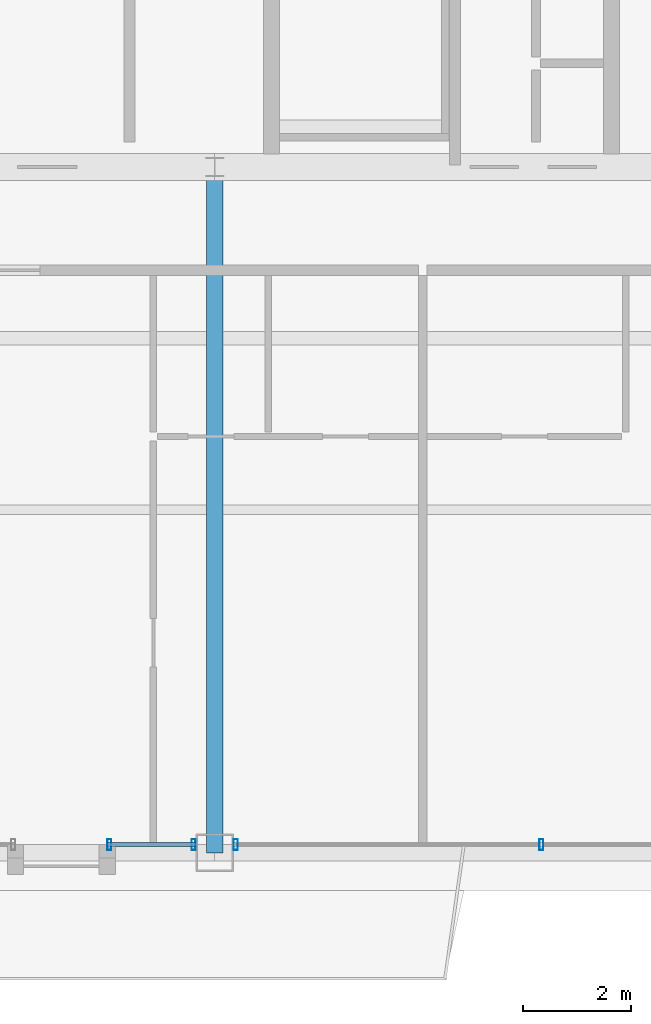
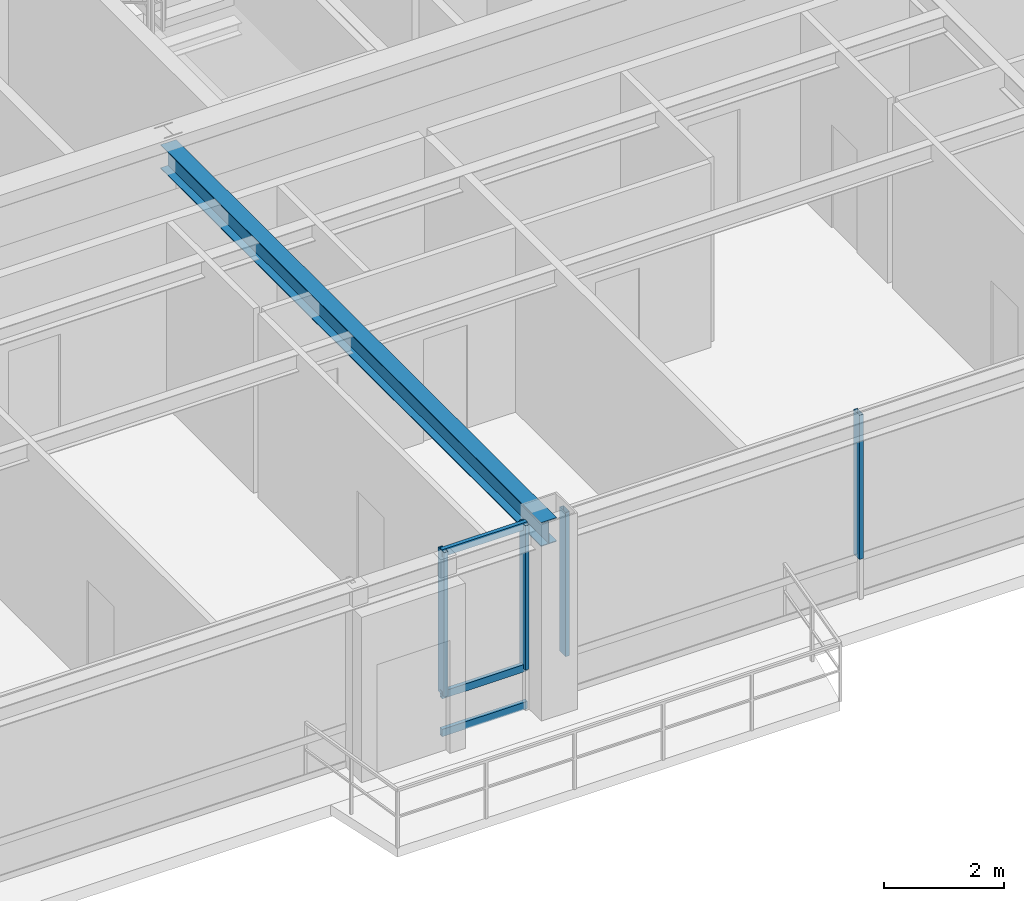
# One storey, part 8 of 35: 7 members, 1 beam, 2 elements without a shape of their own.
"""IFC4 building model written with IfcOpenShell, lengths in metres."""

import ifcopenshell
import ifcopenshell.guid

model = None  # the IFC model being written
_history = None  # IfcOwnerHistory: only IFC2X3 demands one
_inside = {}  # id of a spatial element -> (the spatial element, [elements in it])
_under = {}  # id of a project, library or spatial element -> (it, [spatial elements below it])
_declared = {}  # id of a project -> (the project, [libraries it declares])
_typed = {}  # id of a type object -> (the type object, [elements of that type])
_made_of = {}  # id of a material, layer set ... -> (it, [elements and type objects made of it])


def new_model(schema):
    """Start an empty IFC model of exactly this schema.

    Asked for "IFC4X3", IfcOpenShell would pick the latest addendum, in which some entities
    have other attributes; the version numbers below select the first issue.
    IFC2X3 requires an IfcOwnerHistory on every rooted entity: one is made here for all.
    """
    global model, _history
    if schema == "IFC4X3":
        model = ifcopenshell.file(schema_version=(4, 3, 0, 0))
    else:
        model = ifcopenshell.file(schema=schema)
    _inside.clear()
    _under.clear()
    _declared.clear()
    _typed.clear()
    _made_of.clear()
    _history = None
    if model.schema == "IFC2X3":
        org = make("IfcOrganization", Name="unknown")
        user = make(
            "IfcPersonAndOrganization",
            ThePerson=make("IfcPerson", FamilyName="unknown"),
            TheOrganization=org,
        )
        app = make(
            "IfcApplication",
            ApplicationDeveloper=org,
            Version="unknown",
            ApplicationFullName="unknown",
            ApplicationIdentifier="unknown",
        )
        _history = make(
            "IfcOwnerHistory",
            OwningUser=user,
            OwningApplication=app,
            ChangeAction="ADDED",
            CreationDate=0,
        )
    return model


def make(cls, **values):
    """One entity of the class cls with the attributes given. An attribute that is None is left unset."""
    return model.create_entity(
        cls, **{name: value for name, value in values.items() if value is not None}
    )


def rooted(cls, **values):
    """An entity with a GlobalId (a new one), such as an element, a storey or a relation."""
    return make(cls, GlobalId=ifcopenshell.guid.new(), OwnerHistory=_history, **values)


def si_unit(unit_type, name, prefix=None):
    """IfcSIUnit, for example si_unit("LENGTHUNIT", "METRE", prefix="MILLI")."""
    return make("IfcSIUnit", UnitType=unit_type, Prefix=prefix, Name=name)


def assignment(units):
    """IfcUnitAssignment: the units of a project."""
    return None if units is None else make("IfcUnitAssignment", Units=units)


def point(xyz):
    """IfcCartesianPoint."""
    return None if xyz is None else make("IfcCartesianPoint", Coordinates=xyz)


def direction(xyz):
    """IfcDirection."""
    return None if xyz is None else make("IfcDirection", DirectionRatios=xyz)


def frame(location, z_axis=None, x_axis=None):
    """IfcAxis2Placement3D, a coordinate frame: its origin and axes. An axis left out is left unset."""
    return make(
        "IfcAxis2Placement3D",
        Location=point(location),
        Axis=direction(z_axis),
        RefDirection=direction(x_axis),
    )


def frame_2d(location, x_axis=None):
    """IfcAxis2Placement2D, a coordinate frame in the plane: its origin and x axis."""
    return make(
        "IfcAxis2Placement2D", Location=point(location), RefDirection=direction(x_axis)
    )


def origin():
    """The frame at (0, 0, 0) with its axes left unset."""
    return frame((0.0, 0.0, 0.0))


def origin_2d():
    """The frame at (0, 0) in the plane with its x axis left unset."""
    return frame_2d((0.0, 0.0))


def place(relative_to, where):
    """IfcLocalPlacement: puts the frame where relative to a parent placement (None: the world)."""
    return make(
        "IfcLocalPlacement", PlacementRelTo=relative_to, RelativePlacement=where
    )


def context(
    kind, dimensions, precision=None, world=None, true_north=None, identifier=None
):
    """IfcGeometricRepresentationContext, for example the 3D "Model" context."""
    return make(
        "IfcGeometricRepresentationContext",
        ContextIdentifier=identifier,
        ContextType=kind,
        CoordinateSpaceDimension=dimensions,
        Precision=precision,
        WorldCoordinateSystem=world,
        TrueNorth=true_north,
    )


def subcontext(parent, identifier, kind, view, scale=None):
    """IfcGeometricRepresentationSubContext, for example "Body" below "Model"."""
    return make(
        "IfcGeometricRepresentationSubContext",
        ContextIdentifier=identifier,
        ContextType=kind,
        ParentContext=parent,
        TargetScale=scale,
        TargetView=view,
    )


def project(units=None, contexts=None):
    """IfcProject with its units and contexts."""
    return rooted(
        "IfcProject",
        Name="project",
        RepresentationContexts=contexts,
        UnitsInContext=assignment(units),
    )


def spatial(cls, under=None, at=None, **own):
    """A site, building, storey or space (cls), placed at a placement, below another one or the project."""
    s = rooted(cls, ObjectPlacement=at, **own)
    if under is not None:
        _under.setdefault(under.id(), (under, []))[1].append(s)
    return s


def profile(cls, at=None, kind="AREA", **sizes):
    """A parametric profile (cls). Its sizes go by their IFC names, for example OverallWidth=200.0."""
    return make(cls, ProfileType=kind, Position=at, **sizes)


def hollow_rectangle(**sizes):
    """IfcRectangleHollowProfileDef."""
    return profile("IfcRectangleHollowProfileDef", **sizes)


def i_section(**sizes):
    """IfcIShapeProfileDef."""
    return profile("IfcIShapeProfileDef", **sizes)


def extrude(swept, where, along, depth):
    """IfcExtrudedAreaSolid: the profile swept, set in the frame where, extruded along a direction by depth."""
    return make(
        "IfcExtrudedAreaSolid",
        SweptArea=swept,
        Position=where,
        ExtrudedDirection=direction(along),
        Depth=depth,
    )


def shape(context_of_items, identifier, shape_type, items):
    """IfcShapeRepresentation: the items that make up one representation, for example the "Body"."""
    return make(
        "IfcShapeRepresentation",
        ContextOfItems=context_of_items,
        RepresentationIdentifier=identifier,
        RepresentationType=shape_type,
        Items=items,
    )


def source(mapping_origin, context_of_items, identifier, shape_type, items):
    """IfcRepresentationMap: a shape defined once, which mapped items show again and again."""
    return make(
        "IfcRepresentationMap",
        MappingOrigin=mapping_origin,
        MappedRepresentation=shape(context_of_items, identifier, shape_type, items),
    )


def transform(
    local_origin,
    x_axis=None,
    y_axis=None,
    z_axis=None,
    scale=None,
    scale2=None,
    scale3=None,
    uniform=True,
):
    """IfcCartesianTransformationOperator3D, or its non-uniform kind. x_axis, y_axis, z_axis: its Axis1, 2, 3."""
    if uniform:
        return make(
            "IfcCartesianTransformationOperator3D",
            Axis1=direction(x_axis),
            Axis2=direction(y_axis),
            LocalOrigin=point(local_origin),
            Scale=scale,
            Axis3=direction(z_axis),
        )
    return make(
        "IfcCartesianTransformationOperator3DnonUniform",
        Axis1=direction(x_axis),
        Axis2=direction(y_axis),
        LocalOrigin=point(local_origin),
        Scale=scale,
        Axis3=direction(z_axis),
        Scale2=scale2,
        Scale3=scale3,
    )


def mapped(mapping_source, mapping_target):
    """IfcMappedItem: shows the shape of a source again, moved by a transform."""
    return make(
        "IfcMappedItem", MappingSource=mapping_source, MappingTarget=mapping_target
    )


def material(Name=None, Category=None):
    """IfcMaterial."""
    return make("IfcMaterial", Name=Name, Category=Category)


def layer(
    of_material, thickness, ventilated=None, Name=None, Category=None, Priority=None
):
    """IfcMaterialLayer: one layer of a wall or slab, of a material (None: an air gap)."""
    return make(
        "IfcMaterialLayer",
        Material=of_material,
        LayerThickness=thickness,
        IsVentilated=ventilated,
        Name=Name,
        Category=Category,
        Priority=Priority,
    )


def layer_set(layers, Name=None):
    """IfcMaterialLayerSet."""
    return make("IfcMaterialLayerSet", MaterialLayers=layers, LayerSetName=Name)


def material_profile(
    of_material, cross_section, Name=None, Category=None, Priority=None
):
    """IfcMaterialProfile: a cross section and its material."""
    return make(
        "IfcMaterialProfile",
        Name=Name,
        Material=of_material,
        Profile=cross_section,
        Priority=Priority,
        Category=Category,
    )


def profile_set(profiles, Name=None, composite=None):
    """IfcMaterialProfileSet."""
    return make(
        "IfcMaterialProfileSet",
        Name=Name,
        MaterialProfiles=profiles,
        CompositeProfile=composite,
    )


def made_of(thing, what):
    """Note that an element or type object is made of a material, layer set ...; save() writes the relation."""
    if what is not None:
        _made_of.setdefault(what.id(), (what, []))[1].append(thing)
    return thing


def type_object(cls, material=None, **own):
    """A type object (cls), such as IfcWallType, which elements share."""
    return made_of(rooted(cls, **own), material)


def element(
    cls,
    number,
    at=None,
    inside=None,
    cuts=None,
    type_object=None,
    material=None,
    context=None,
    identifier="Body",
    shape_type=None,
    held_by="IfcProductDefinitionShape",
    body=None,
    shapes=None,
    **own,
):
    """One element of the class cls, such as IfcWall. Its Tag is "e" and its number.

    at: its placement. inside: the storey or other place that contains it. cuts: it is an
    opening in that element (IfcRelVoidsElement). A single representation is given by context,
    identifier, shape_type and body (its items); several are given by shapes. held_by: the class
    of the entity that holds the representations. save() writes the other relations.
    """
    e = rooted(cls, Tag="e%d" % number, ObjectPlacement=at, **own)
    if body is not None:
        shapes = [shape(context, identifier, shape_type, body)]
    if shapes is not None:
        e.Representation = make(held_by, Representations=shapes)
    if inside is not None:
        _inside.setdefault(inside.id(), (inside, []))[1].append(e)
    if cuts is not None:
        rooted(
            "IfcRelVoidsElement", RelatingBuildingElement=cuts, RelatedOpeningElement=e
        )
    if type_object is not None:
        _typed.setdefault(type_object.id(), (type_object, []))[1].append(e)
    return made_of(e, material)


def aggregate(whole, parts):
    """IfcRelAggregates: a whole, such as a stair, and the parts it consists of."""
    return rooted("IfcRelAggregates", RelatingObject=whole, RelatedObjects=parts)


def save(model, path):
    """Write the relations noted so far, then the file.

    IfcRelAggregates (storeys below a building ...), IfcRelContainedInSpatialStructure (elements
    in a storey), IfcRelDefinesByType, IfcRelAssociatesMaterial and IfcRelDeclares: one each for
    every whole, place, type object, material and project.
    """
    for whole, parts in _under.values():
        aggregate(whole, parts)
    for where, things in _inside.values():
        rooted(
            "IfcRelContainedInSpatialStructure",
            RelatedElements=things,
            RelatingStructure=where,
        )
    for kind, things in _typed.values():
        rooted("IfcRelDefinesByType", RelatedObjects=things, RelatingType=kind)
    for what, things in _made_of.values():
        rooted("IfcRelAssociatesMaterial", RelatedObjects=things, RelatingMaterial=what)
    for by, libraries in _declared.values():
        rooted("IfcRelDeclares", RelatingContext=by, RelatedDefinitions=libraries)
    model.write(path)


model = new_model("IFC4")

# Units and contexts
model_context = context("Model", 3, precision=1e-05, world=origin(), true_north=direction((0.0, 1.0)))
body_context = subcontext(model_context, "Body", "Model", "MODEL_VIEW")
ifc_project = project(units=[si_unit("LENGTHUNIT", "METRE"), si_unit("AREAUNIT", "SQUARE_METRE"), si_unit("VOLUMEUNIT", "CUBIC_METRE"), si_unit("PLANEANGLEUNIT", "RADIAN"), si_unit("MASSUNIT", "GRAM", prefix="KILO"), si_unit("THERMODYNAMICTEMPERATUREUNIT", "KELVIN"), si_unit("POWERUNIT", "WATT")], contexts=[model_context])

# Site, building, storey
site_placement = place(None, origin())
site = spatial("IfcSite", under=ifc_project, at=site_placement, CompositionType="ELEMENT")
building_placement = place(site_placement, origin())
building = spatial("IfcBuilding", under=site, at=building_placement, Name="Yuzanri Waterfront Tower", CompositionType="ELEMENT")
storey_placement = place(building_placement, frame((0.0, 0.0, 343.199951171875)))
storey = spatial("IfcBuildingStorey", under=building, at=storey_placement, Name="L92", CompositionType="ELEMENT", Elevation=343.199951171875)

# Beam
ifc_material_1 = material(Name="Steel Q355B", Category="steel")
ifc_material_profile_1 = material_profile(ifc_material_1, i_section(OverallWidth=0.300048828125, OverallDepth=0.488037109375, WebThickness=0.010986328125, FlangeThickness=0.01806640625, at=origin_2d()), Name="HM 488x300x11x18")
ifc_profile_set_1 = profile_set([ifc_material_profile_1], Name="Steel Q355B")
beam_type = type_object("IfcBeamType", Name="Primary Floor Girder Q355B HM 488x300", PredefinedType="BEAM", material=ifc_profile_set_1)
shared_shape_1 = source(origin(), body_context, "Body", "SweptSolid", [
    extrude(i_section(OverallWidth=0.300048828125, OverallDepth=0.488037109375, WebThickness=0.010986328125, FlangeThickness=0.01806640625, at=origin_2d()), origin(), (0.0, 0.0, 1.0), 12.699951171875),
])
beam_placement = place(storey_placement, frame((37.0, 19.39990234375, 3.51611328125), z_axis=(0.0, -1.0, 0.0), x_axis=(1.0, 0.0, 0.0)))
element("IfcBeam", 1, at=beam_placement, inside=storey, type_object=beam_type, Name="L92 South Grid Girder", PredefinedType="BEAM", context=body_context, shape_type="MappedRepresentation", body=[
    mapped(shared_shape_1, transform((0.0, 0.0, 0.0), scale=1.0)),
])

# Curtain wall, members
ifc_material_2 = material(Name="Anodized Architectural Bronze", Category="metal")
ifc_layer = layer(ifc_material_2, 0.159912109375)
ifc_layer_set = layer_set([ifc_layer], Name="Anodized Architectural Bronze")
curtain_wall_type = type_object("IfcCurtainWallType", Name="Anodized Bronze High-Rise Penthouse High-Wind Unitized Curtain Wall 6900", PredefinedType="NOTDEFINED", material=ifc_layer_set)
curtain_wall_1_placement = place(storey_placement, origin())
curtain_wall_1 = element("IfcCurtainWall", 2, at=curtain_wall_1_placement, inside=storey, type_object=curtain_wall_type, Name="L92 Curtain Wall CW-L92-SL2", PredefinedType="NOTDEFINED")
ifc_material_3 = material(Name="Anodized Architectural Bronze", Category="metal")
ifc_material_profile_2 = material_profile(ifc_material_3, hollow_rectangle(XDim=0.074951171875, YDim=0.199951171875, WallThickness=0.00390625, at=origin_2d()), Name="CWM 75x200")
ifc_profile_set_2 = profile_set([ifc_material_profile_2], Name="Anodized Architectural Bronze")
member_type_1 = type_object("IfcMemberType", Name="Anodized Bronze Primary Curtain-Wall Mullion 75x200", PredefinedType="MULLION", material=ifc_profile_set_2)
shared_shape_2 = source(origin(), body_context, "Body", "SweptSolid", [
    extrude(hollow_rectangle(XDim=0.074951171875, YDim=0.199951171875, WallThickness=0.00390625, at=origin_2d()), origin(), (0.0, 0.0, 1.0), 2.93798828125),
])
member_1_placement = place(storey_placement, frame((35.049072265625, 6.85009765625, 0.822021484375), z_axis=(0.0, 0.0, 1.0), x_axis=(1.0, 0.0, 0.0)))
member_1 = element("IfcMember", 3, at=member_1_placement, type_object=member_type_1, Name="CW-L92-SL2 Upper Mullion 00", PredefinedType="MULLION", context=body_context, shape_type="MappedRepresentation", body=[
    mapped(shared_shape_2, transform((0.0, 0.0, 0.0), scale=1.0)),
])
member_2_placement = place(storey_placement, frame((36.610107421875, 6.85009765625, 0.822021484375), z_axis=(0.0, 0.0, 1.0), x_axis=(1.0, 0.0, 0.0)))
member_2 = element("IfcMember", 4, at=member_2_placement, type_object=member_type_1, Name="CW-L92-SL2 Upper Mullion 01", PredefinedType="MULLION", context=body_context, shape_type="MappedRepresentation", body=[
    mapped(shared_shape_2, transform((0.0, 0.0, 0.0), scale=1.0)),
])

curtain_wall_2_placement = place(storey_placement, origin())
curtain_wall_2 = element("IfcCurtainWall", 5, at=curtain_wall_2_placement, inside=storey, type_object=curtain_wall_type, Name="L92 Curtain Wall CW-L92-SR", PredefinedType="NOTDEFINED")
member_3_placement = place(storey_placement, frame((37.389892578125, 6.85009765625, 0.822021484375), z_axis=(0.0, 0.0, 1.0), x_axis=(1.0, 0.0, 0.0)))
member_3 = element("IfcMember", 6, at=member_3_placement, type_object=member_type_1, Name="CW-L92-SR Upper Mullion 00", PredefinedType="MULLION", context=body_context, shape_type="MappedRepresentation", body=[
    mapped(shared_shape_2, transform((0.0, 0.0, 0.0), scale=1.0)),
])
member_4_placement = place(storey_placement, frame((43.050048828125, 6.85009765625, 0.822021484375), z_axis=(0.0, 0.0, 1.0), x_axis=(1.0, 0.0, 0.0)))
member_4 = element("IfcMember", 7, at=member_4_placement, type_object=member_type_1, Name="CW-L92-SR Upper Mullion 01", PredefinedType="MULLION", context=body_context, shape_type="MappedRepresentation", body=[
    mapped(shared_shape_2, transform((0.0, 0.0, 0.0), scale=1.0)),
])
aggregate(curtain_wall_2, [member_3, member_4])

# Member
ifc_material_4 = material(Name="Anodized Architectural Bronze", Category="metal")
ifc_material_profile_3 = material_profile(ifc_material_4, hollow_rectangle(XDim=0.074951171875, YDim=0.14990234375, WallThickness=0.00390625, at=origin_2d()), Name="CWT 75x150")
ifc_profile_set_3 = profile_set([ifc_material_profile_3], Name="Anodized Architectural Bronze")
member_type_2 = type_object("IfcMemberType", Name="Anodized Bronze Primary Curtain-Wall Transom 75x150", PredefinedType="USERDEFINED", material=ifc_profile_set_3)
shared_shape_3 = source(origin(), body_context, "Body", "SweptSolid", [
    extrude(hollow_rectangle(XDim=0.074951171875, YDim=0.14990234375, WallThickness=0.00390625, at=origin_2d()), origin(), (0.0, 0.0, 1.0), 1.640869140625),
])
member_5_placement = place(storey_placement, frame((35.009033203125, 6.85009765625, 0.050048828125), z_axis=(1.0, 0.0, 0.0), x_axis=(0.0, 1.0, 0.0)))
member_5 = element("IfcMember", 8, at=member_5_placement, type_object=member_type_2, Name="CW-L92-SL2 Transom 1", ObjectType="TRANSOM", PredefinedType="USERDEFINED", context=body_context, shape_type="MappedRepresentation", body=[
    mapped(shared_shape_3, transform((0.0, 0.0, 0.0), scale=1.0)),
])

member_6_placement = place(storey_placement, frame((35.009033203125, 6.85009765625, 0.820068359375), z_axis=(1.0, 0.0, 0.0), x_axis=(0.0, 1.0, 0.0)))
member_6 = element("IfcMember", 9, at=member_6_placement, type_object=member_type_2, Name="CW-L92-SL2 Transom 2", ObjectType="TRANSOM", PredefinedType="USERDEFINED", context=body_context, shape_type="MappedRepresentation", body=[
    mapped(shared_shape_3, transform((0.0, 0.0, 0.0), scale=1.0)),
])

member_7_placement = place(storey_placement, frame((35.009033203125, 6.85009765625, 3.7099609375), z_axis=(1.0, 0.0, 0.0), x_axis=(0.0, 1.0, 0.0)))
member_7 = element("IfcMember", 10, at=member_7_placement, type_object=member_type_2, Name="CW-L92-SL2 Transom 3", ObjectType="TRANSOM", PredefinedType="USERDEFINED", context=body_context, shape_type="MappedRepresentation", body=[
    mapped(shared_shape_3, transform((0.0, 0.0, 0.0), scale=1.0)),
])

aggregate(curtain_wall_1, [member_1, member_2, member_5, member_6, member_7])

save(model, "model.ifc")
